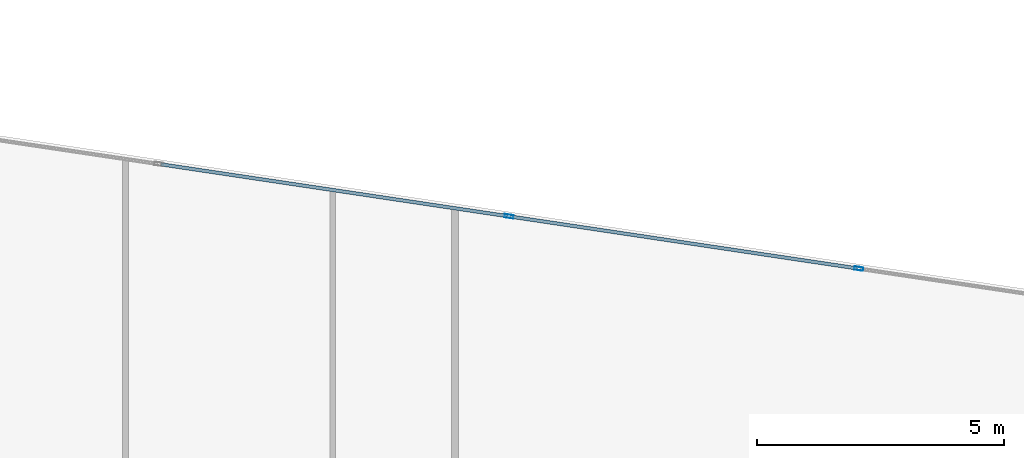
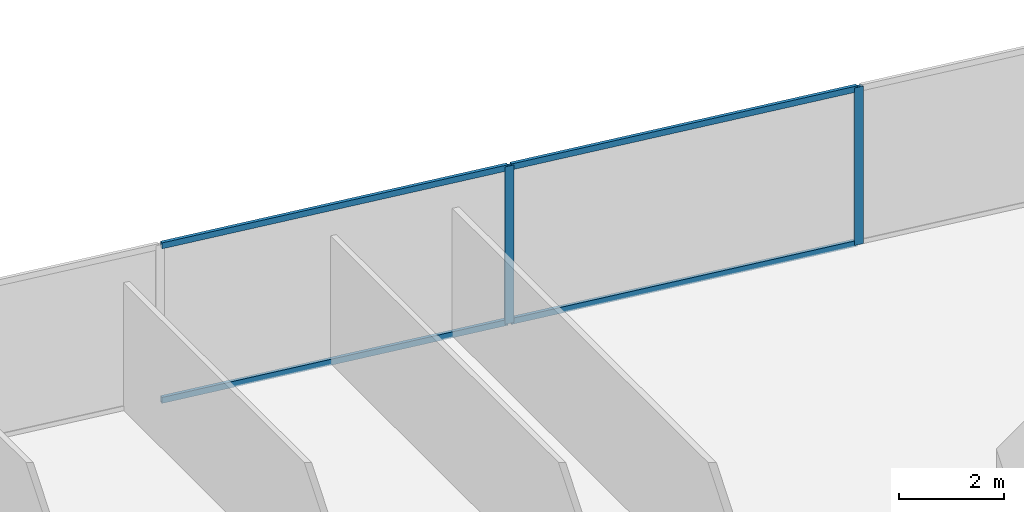
# One storey, part 22 of 29: 6 members, 1 element without a shape of its own.
"""IFC4 building model written with IfcOpenShell, lengths in metres."""

from ifc_helpers import new_model, si_unit, direction, frame, origin, origin_2d, place, context, subcontext, project, spatial, hollow_rectangle, extrude, source, transform, mapped, material, material_profile, profile_set, type_object, type_shapes, element, aggregate, save


model = new_model("IFC4")

# Units and contexts
model_context = context("Model", 3, precision=1e-05, world=origin(), true_north=direction((0.0, 1.0)))
body_context = subcontext(model_context, "Body", "Model", "MODEL_VIEW")
ifc_project = project(units=[si_unit("LENGTHUNIT", "METRE"), si_unit("AREAUNIT", "SQUARE_METRE"), si_unit("VOLUMEUNIT", "CUBIC_METRE"), si_unit("PLANEANGLEUNIT", "RADIAN"), si_unit("MASSUNIT", "GRAM", prefix="KILO")], contexts=[model_context])

# Site, building, storey
site_placement = place(None, origin())
site = spatial("IfcSite", under=ifc_project, at=site_placement, CompositionType="ELEMENT")
building_placement = place(site_placement, origin())
building = spatial("IfcBuilding", under=site, at=building_placement, Name="Krantzveldt Concourse Tower", CompositionType="ELEMENT")
storey_placement = place(building_placement, frame((0.0, 0.0, 72.39990234375)))
storey = spatial("IfcBuildingStorey", under=building, at=storey_placement, Name="L17", CompositionType="ELEMENT", Elevation=72.39990234375)

# Curtain wall, members
ifc_material = material(Name="Anodised aluminium 6063-T6", Category="aluminium")
curtain_wall_type = type_object("IfcCurtainWallType", Name="CW2", PredefinedType="USERDEFINED", material=ifc_material)
curtain_wall_placement = place(storey_placement, origin())
curtain_wall = element("IfcCurtainWall", 1, at=curtain_wall_placement, inside=storey, type_object=curtain_wall_type, Name="CW-L17-F10", ObjectType="UNITISED CURTAIN WALL", PredefinedType="USERDEFINED")
ifc_material_profile_1 = material_profile(ifc_material, hollow_rectangle(XDim=0.070068359375, YDim=0.139892578125, WallThickness=0.0048828125, at=origin_2d()), Name="Anodised aluminium 6063-T6", Category="aluminium")
ifc_profile_set_1 = profile_set([ifc_material_profile_1], Name="Anodised aluminium 6063-T6 - ALU-TRAN 140x70x5")
member_type_1 = type_object("IfcMemberType", Name="CW-TRN-150", PredefinedType="USERDEFINED", material=ifc_profile_set_1)
shared_shape_1 = source(origin(), body_context, "Body", "SweptSolid", [
    extrude(hollow_rectangle(XDim=0.070068359375, YDim=0.139892578125, WallThickness=0.0048828125, at=origin_2d()), origin(), (0.0, 0.0, 1.0), 7.0966796875),
])
type_shapes(member_type_1, [shared_shape_1])
member_1_placement = place(storey_placement, frame((53.8232421875, 49.222900390625, 0.03515625), z_axis=(-0.989013684865, 0.147823987056, 0.0), x_axis=(-0.147823987056, -0.989013684865, 0.0)))
member_1 = element("IfcMember", 2, at=member_1_placement, type_object=member_type_1, Name="CW-Z12 transom 2.1", ObjectType="TRANSOM", PredefinedType="USERDEFINED", context=body_context, shape_type="MappedRepresentation", body=[
    mapped(shared_shape_1, transform((0.0, 0.0, 0.0), x_axis=(1.0, 0.0, 0.0), y_axis=(0.0, 1.0, 0.0), z_axis=(0.0, 0.0, 1.0), scale=1.0)),
])
member_2_placement = place(storey_placement, frame((53.8232421875, 49.222900390625, 3.635009765625), z_axis=(-0.989013684865, 0.147823987056, 0.0), x_axis=(-0.147823987056, -0.989013684865, 0.0)))
member_2 = element("IfcMember", 3, at=member_2_placement, type_object=member_type_1, Name="CW-Z12 transom 2.2", ObjectType="TRANSOM", PredefinedType="USERDEFINED", context=body_context, shape_type="MappedRepresentation", body=[
    mapped(shared_shape_1, transform((0.0, 0.0, 0.0), x_axis=(1.0, 0.0, 0.0), y_axis=(0.0, 1.0, 0.0), z_axis=(0.0, 0.0, 1.0), scale=1.0)),
])
member_3_placement = place(storey_placement, frame((46.7353515625, 50.2822265625, 0.03515625), z_axis=(-0.989013684865, 0.147823987056, 0.0), x_axis=(-0.147823987056, -0.989013684865, 0.0)))
member_3 = element("IfcMember", 4, at=member_3_placement, type_object=member_type_1, Name="CW-Z12 transom 3.1", ObjectType="TRANSOM", PredefinedType="USERDEFINED", context=body_context, shape_type="MappedRepresentation", body=[
    mapped(shared_shape_1, transform((0.0, 0.0, 0.0), x_axis=(1.0, 0.0, 0.0), y_axis=(0.0, 1.0, 0.0), z_axis=(0.0, 0.0, 1.0), scale=1.0)),
])
member_4_placement = place(storey_placement, frame((46.7353515625, 50.2822265625, 3.635009765625), z_axis=(-0.989013684865, 0.147823987056, 0.0), x_axis=(-0.147823987056, -0.989013684865, 0.0)))
member_4 = element("IfcMember", 5, at=member_4_placement, type_object=member_type_1, Name="CW-Z12 transom 3.2", ObjectType="TRANSOM", PredefinedType="USERDEFINED", context=body_context, shape_type="MappedRepresentation", body=[
    mapped(shared_shape_1, transform((0.0, 0.0, 0.0), x_axis=(1.0, 0.0, 0.0), y_axis=(0.0, 1.0, 0.0), z_axis=(0.0, 0.0, 1.0), scale=1.0)),
])
ifc_material_profile_2 = material_profile(ifc_material, hollow_rectangle(XDim=0.070068359375, YDim=0.179931640625, WallThickness=0.0048828125, at=origin_2d()), Name="Anodised aluminium 6063-T6", Category="aluminium")
ifc_profile_set_2 = profile_set([ifc_material_profile_2], Name="Anodised aluminium 6063-T6 - ALU-MULL 180x70x5")
member_type_2 = type_object("IfcMemberType", Name="CW-MUL-180", PredefinedType="MULLION", material=ifc_profile_set_2)
shared_shape_2 = source(origin(), body_context, "Body", "SweptSolid", [
    extrude(hollow_rectangle(XDim=0.070068359375, YDim=0.179931640625, WallThickness=0.0048828125, at=origin_2d()), origin(), (0.0, 0.0, 1.0), 3.670166015625),
])
type_shapes(member_type_2, [shared_shape_2])
member_5_placement = place(storey_placement, frame((53.85791015625, 49.2177734375, 0.0), z_axis=(0.0, 0.0, 1.0), x_axis=(-0.147809505412, -0.989015849271, 0.0)))
member_5 = element("IfcMember", 6, at=member_5_placement, type_object=member_type_2, Name="CW-Z12 mullion 2", PredefinedType="MULLION", context=body_context, shape_type="MappedRepresentation", body=[
    mapped(shared_shape_2, transform((0.0, 0.0, 0.0), x_axis=(1.0, 0.0, 0.0), y_axis=(0.0, 1.0, 0.0), z_axis=(0.0, 0.0, 1.0), scale=1.0)),
])
member_6_placement = place(storey_placement, frame((46.769775390625, 50.277099609375, 0.0), z_axis=(0.0, 0.0, 1.0), x_axis=(-0.147809505412, -0.989015849271, 0.0)))
member_6 = element("IfcMember", 7, at=member_6_placement, type_object=member_type_2, Name="CW-Z12 mullion 3", PredefinedType="MULLION", context=body_context, shape_type="MappedRepresentation", body=[
    mapped(shared_shape_2, transform((0.0, 0.0, 0.0), x_axis=(1.0, 0.0, 0.0), y_axis=(0.0, 1.0, 0.0), z_axis=(0.0, 0.0, 1.0), scale=1.0)),
])
aggregate(curtain_wall, [member_5, member_6, member_1, member_2, member_3, member_4])

save(model, "model.ifc")
